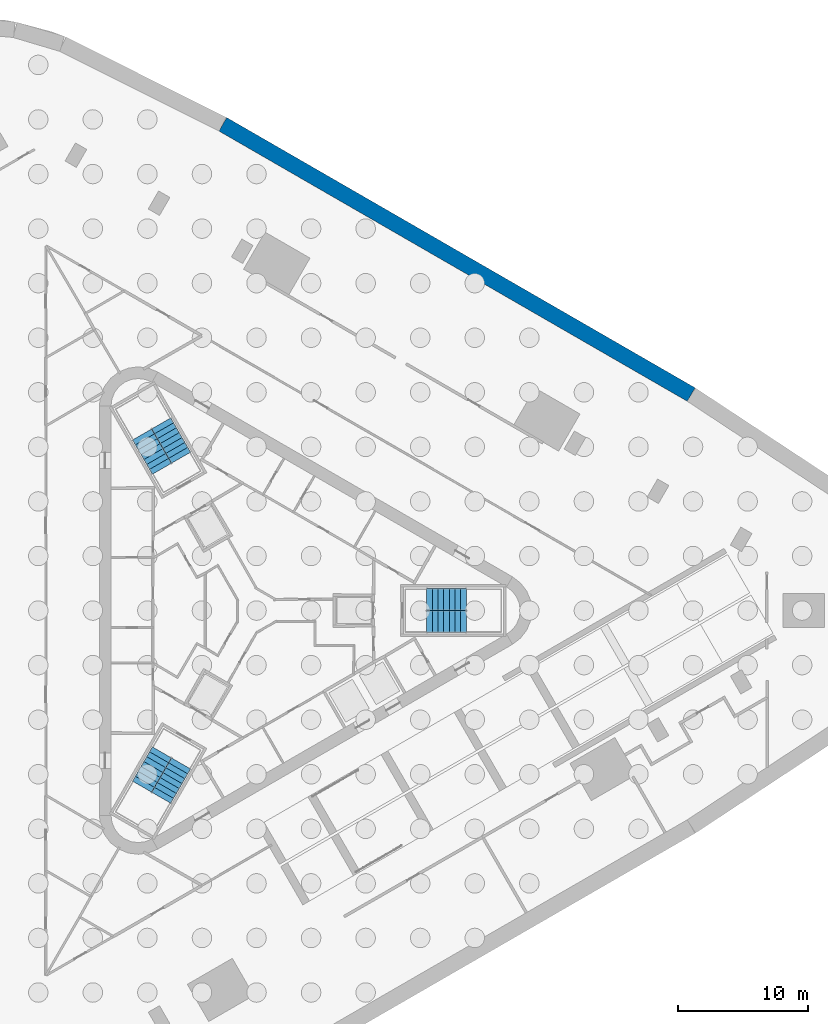
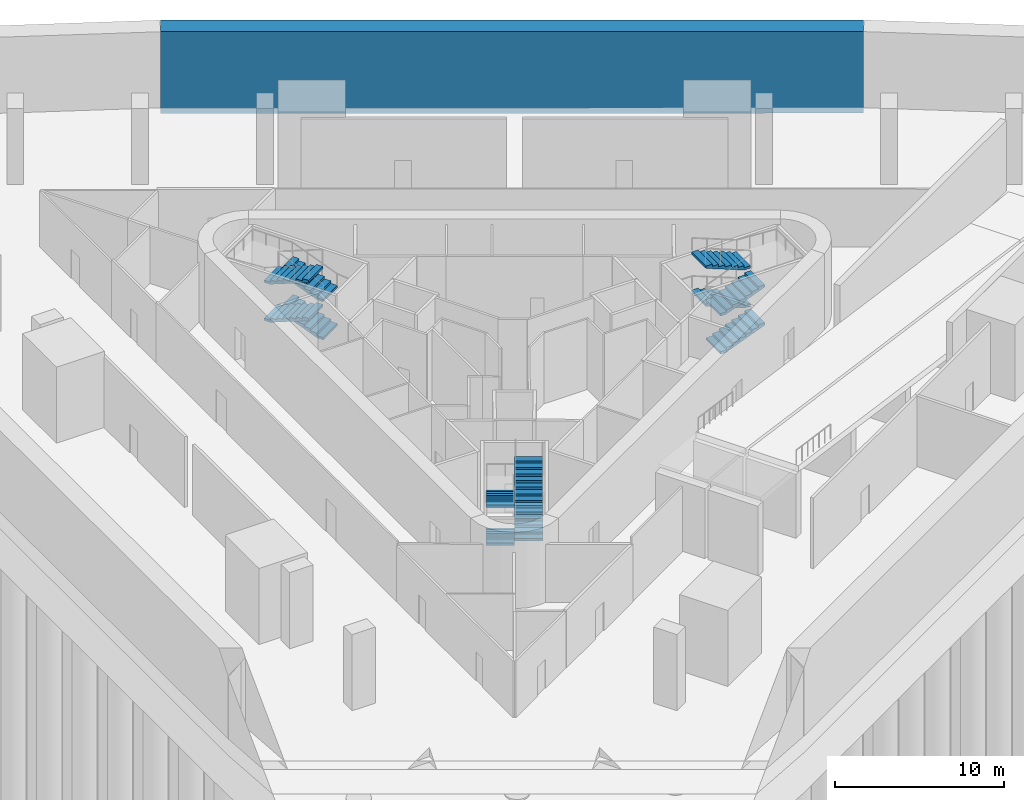
# One storey, part 10 of 13: 12 stair flights, 1 wall, 3 elements without a shape of their own.
"""IFC4 building model written with IfcOpenShell, lengths in metres."""

from ifc_helpers import new_model, si_unit, direction, frame, frame_2d, origin, place, context, subcontext, project, spatial, polyline, rectangle, outline, extrude, material, layer, layer_set, type_object, element, aggregate, save


model = new_model("IFC4")

# Units and contexts
model_context = context("Model", 3, precision=1e-05, world=origin(), true_north=direction((0.0, 1.0)))
body_context = subcontext(model_context, "Body", "Model", "MODEL_VIEW")
ifc_project = project(units=[si_unit("LENGTHUNIT", "METRE"), si_unit("AREAUNIT", "SQUARE_METRE"), si_unit("VOLUMEUNIT", "CUBIC_METRE"), si_unit("PLANEANGLEUNIT", "RADIAN"), si_unit("MASSUNIT", "GRAM", prefix="KILO")], contexts=[model_context])

# Site, building, storey
site_placement = place(None, origin())
site = spatial("IfcSite", under=ifc_project, at=site_placement, CompositionType="ELEMENT")
building_placement = place(site_placement, origin())
building = spatial("IfcBuilding", under=site, at=building_placement, Name="Tanit Gate Tower", CompositionType="ELEMENT")
storey_placement = place(building_placement, frame((0.0, 0.0, -11.0)))
storey = spatial("IfcBuildingStorey", under=building, at=storey_placement, Name="B2", CompositionType="ELEMENT", Elevation=-11.0)

# Wall
ifc_material_1 = material(Name="Concrete C35/45", Category="concrete")
ifc_layer = layer(ifc_material_1, 1.199951171875)
ifc_layer_set = layer_set([ifc_layer], Name="DIAPHRAGM WALL 1200 C35/45")
wall_type = type_object("IfcWallType", Name="DIAPHRAGM WALL 1200 C35/45", PredefinedType="SHEAR", material=ifc_layer_set)
wall_placement = place(storey_placement, frame((-2.593017578125, 37.42919921875, -0.39990234375), z_axis=(0.0, 0.0, 1.0), x_axis=(0.866166543136, -0.499755459752, 0.0)))
element("IfcWall", 1, at=wall_placement, inside=storey, type_object=wall_type, Name="DIAPHRAGM WALL", PredefinedType="SHEAR", context=body_context, shape_type="SweptSolid", body=[
    extrude(rectangle(XDim=41.621826171875, YDim=1.199951171875, at=frame_2d((20.81103515625, 0.0))), origin(), (0.0, 0.0, 1.0), 5.89990234375),
])

# Stair, stair flights
ifc_material_2 = material(Name="Concrete C40/50", Category="concrete")
stair_type = type_object("IfcStairType", Name="INT-STAIR-EXIT", PredefinedType="HALF_TURN_STAIR", material=ifc_material_2)
stair_1_placement = place(storey_placement, origin())
stair_1 = element("IfcStair", 2, at=stair_1_placement, inside=storey, type_object=stair_type, Name="B2 STAIR S1", PredefinedType="HALF_TURN_STAIR")
ifc_material_3 = material(Name="Concrete C40/50", Category="concrete")
stair_flight_type = type_object("IfcStairFlightType", Name="INT-STAIR-FLIGHT", PredefinedType="STRAIGHT", material=ifc_material_3)
stair_flight_1_placement = place(storey_placement, frame((13.094970703125, -0.8525390625, 0.0), z_axis=(0.0, 0.0, 1.0), x_axis=(1.0, 0.0, 0.0)))
stair_flight_1 = element("IfcStairFlight", 3, at=stair_flight_1_placement, type_object=stair_flight_type, Name="S1 flight 1", NumberOfRisers=8, NumberOfTreads=7, PredefinedType="STRAIGHT", RiserHeight=0.171875, TreadLength=0.435857143, context=body_context, shape_type="SweptSolid", body=[
    extrude(outline(polyline([(0.0, 0.0), (0.0, 0.171875), (0.435791015625, 0.171875), (0.435791015625, 0.34375), (0.871826171875, 0.34375), (0.871826171875, 0.515625), (1.3076171875, 0.515625), (1.3076171875, 0.6875), (1.743408203125, 0.6875), (1.743408203125, 0.859375), (2.17919921875, 0.859375), (2.17919921875, 1.03125), (2.615234375, 1.03125), (2.615234375, 1.203125), (3.051025390625, 1.203125), (3.051025390625, 1.375), (3.051025390625, 1.0419921875), (0.40869140625, 0.0), (0.0, 0.0)])), frame((0.0, 0.84765625, 0.0), z_axis=(0.0, -1.0, 0.0), x_axis=(1.0, 0.0, 0.0)), (0.0, 0.0, 1.0), 1.695068359375),
])
stair_flight_2_placement = place(storey_placement, frame((16.14599609375, 0.8525390625, 1.375), z_axis=(0.0, 0.0, 1.0), x_axis=(-1.0, 0.0, 0.0)))
stair_flight_2 = element("IfcStairFlight", 4, at=stair_flight_2_placement, type_object=stair_flight_type, Name="S1 flight 2", NumberOfRisers=8, NumberOfTreads=7, PredefinedType="STRAIGHT", RiserHeight=0.171875, TreadLength=0.435857143, context=body_context, shape_type="SweptSolid", body=[
    extrude(outline(polyline([(0.0, 0.0), (0.0, 0.171875), (0.435791015625, 0.171875), (0.435791015625, 0.34375), (0.871826171875, 0.34375), (0.871826171875, 0.515625), (1.3076171875, 0.515625), (1.3076171875, 0.6875), (1.743408203125, 0.6875), (1.743408203125, 0.859375), (2.17919921875, 0.859375), (2.17919921875, 1.03125), (2.615234375, 1.03125), (2.615234375, 1.203125), (3.051025390625, 1.203125), (3.051025390625, 1.375), (3.051025390625, 1.0419921875), (0.40869140625, 0.0), (0.0, 0.0)])), frame((0.0, 0.84765625, 0.0), z_axis=(0.0, -1.0, 0.0), x_axis=(1.0, 0.0, 0.0)), (0.0, 0.0, 1.0), 1.695068359375),
])
stair_flight_3_placement = place(storey_placement, frame((13.094970703125, -0.8525390625, 2.75), z_axis=(0.0, 0.0, 1.0), x_axis=(1.0, 0.0, 0.0)))
stair_flight_3 = element("IfcStairFlight", 5, at=stair_flight_3_placement, type_object=stair_flight_type, Name="S1 flight 3", NumberOfRisers=8, NumberOfTreads=7, PredefinedType="STRAIGHT", RiserHeight=0.171875, TreadLength=0.435857143, context=body_context, shape_type="SweptSolid", body=[
    extrude(outline(polyline([(0.0, 0.0), (0.0, 0.171875), (0.435791015625, 0.171875), (0.435791015625, 0.34375), (0.871826171875, 0.34375), (0.871826171875, 0.515625), (1.3076171875, 0.515625), (1.3076171875, 0.6875), (1.743408203125, 0.6875), (1.743408203125, 0.859375), (2.17919921875, 0.859375), (2.17919921875, 1.03125), (2.615234375, 1.03125), (2.615234375, 1.203125), (3.051025390625, 1.203125), (3.051025390625, 1.375), (3.051025390625, 1.0419921875), (0.40869140625, 0.0), (0.0, 0.0)])), frame((0.0, 0.84765625, 0.0), z_axis=(0.0, -1.0, 0.0), x_axis=(1.0, 0.0, 0.0)), (0.0, 0.0, 1.0), 1.695068359375),
])
stair_flight_4_placement = place(storey_placement, frame((16.14599609375, 0.8525390625, 4.125), z_axis=(0.0, 0.0, 1.0), x_axis=(-1.0, 0.0, 0.0)))
stair_flight_4 = element("IfcStairFlight", 6, at=stair_flight_4_placement, type_object=stair_flight_type, Name="S1 flight 4", NumberOfRisers=8, NumberOfTreads=7, PredefinedType="STRAIGHT", RiserHeight=0.171875, TreadLength=0.435857143, context=body_context, shape_type="SweptSolid", body=[
    extrude(outline(polyline([(0.0, 0.0), (0.0, 0.171875), (0.435791015625, 0.171875), (0.435791015625, 0.34375), (0.871826171875, 0.34375), (0.871826171875, 0.515625), (1.3076171875, 0.515625), (1.3076171875, 0.6875), (1.743408203125, 0.6875), (1.743408203125, 0.859375), (2.17919921875, 0.859375), (2.17919921875, 1.03125), (2.615234375, 1.03125), (2.615234375, 1.203125), (3.051025390625, 1.203125), (3.051025390625, 1.375), (3.051025390625, 1.0419921875), (0.40869140625, 0.0), (0.0, 0.0)])), frame((0.0, 0.84765625, 0.0), z_axis=(0.0, -1.0, 0.0), x_axis=(1.0, 0.0, 0.0)), (0.0, 0.0, 1.0), 1.695068359375),
])
aggregate(stair_1, [stair_flight_1, stair_flight_2, stair_flight_3, stair_flight_4])

stair_2_placement = place(storey_placement, origin())
stair_2 = element("IfcStair", 7, at=stair_2_placement, inside=storey, type_object=stair_type, Name="B2 STAIR S2", PredefinedType="HALF_TURN_STAIR")
stair_flight_5_placement = place(storey_placement, frame((-5.808349609375, 11.766357421875, 0.0), z_axis=(0.0, 0.0, 1.0), x_axis=(-0.5, 0.866025403784, 0.0)))
stair_flight_5 = element("IfcStairFlight", 8, at=stair_flight_5_placement, type_object=stair_flight_type, Name="S2 flight 1", NumberOfRisers=8, NumberOfTreads=7, PredefinedType="STRAIGHT", RiserHeight=0.171875, TreadLength=0.4356, context=body_context, shape_type="SweptSolid", body=[
    extrude(outline(polyline([(0.0, 0.0), (0.0, 0.171875), (0.435546875, 0.171875), (0.435546875, 0.34375), (0.87109375, 0.34375), (0.87109375, 0.515625), (1.306884765625, 0.515625), (1.306884765625, 0.6875), (1.742431640625, 0.6875), (1.742431640625, 0.859375), (2.177978515625, 0.859375), (2.177978515625, 1.03125), (2.613525390625, 1.03125), (2.613525390625, 1.203125), (3.04931640625, 1.203125), (3.04931640625, 1.375), (3.04931640625, 1.0419921875), (0.408447265625, 0.0), (0.0, 0.0)])), frame((0.0, 0.84716796875, 0.0), z_axis=(0.0, -1.0, 0.0), x_axis=(1.0, 0.0, 0.0)), (0.0, 0.0, 1.0), 1.694091796875),
])
stair_flight_6_placement = place(storey_placement, frame((-8.810302734375, 13.553955078125, 1.375), z_axis=(0.0, 0.0, 1.0), x_axis=(0.5, -0.866025403784, 0.0)))
stair_flight_6 = element("IfcStairFlight", 9, at=stair_flight_6_placement, type_object=stair_flight_type, Name="S2 flight 2", NumberOfRisers=8, NumberOfTreads=7, PredefinedType="STRAIGHT", RiserHeight=0.171875, TreadLength=0.4356, context=body_context, shape_type="SweptSolid", body=[
    extrude(outline(polyline([(0.0, 0.0), (0.0, 0.171875), (0.435546875, 0.171875), (0.435546875, 0.34375), (0.87109375, 0.34375), (0.87109375, 0.515625), (1.306884765625, 0.515625), (1.306884765625, 0.6875), (1.742431640625, 0.6875), (1.742431640625, 0.859375), (2.177978515625, 0.859375), (2.177978515625, 1.03125), (2.613525390625, 1.03125), (2.613525390625, 1.203125), (3.04931640625, 1.203125), (3.04931640625, 1.375), (3.04931640625, 1.0419921875), (0.408447265625, 0.0), (0.0, 0.0)])), frame((0.0, 0.84716796875, 0.0), z_axis=(0.0, -1.0, 0.0), x_axis=(1.0, 0.0, 0.0)), (0.0, 0.0, 1.0), 1.694091796875),
])
stair_flight_7_placement = place(storey_placement, frame((-5.808349609375, 11.766357421875, 2.75), z_axis=(0.0, 0.0, 1.0), x_axis=(-0.5, 0.866025403784, 0.0)))
stair_flight_7 = element("IfcStairFlight", 10, at=stair_flight_7_placement, type_object=stair_flight_type, Name="S2 flight 3", NumberOfRisers=8, NumberOfTreads=7, PredefinedType="STRAIGHT", RiserHeight=0.171875, TreadLength=0.4356, context=body_context, shape_type="SweptSolid", body=[
    extrude(outline(polyline([(0.0, 0.0), (0.0, 0.171875), (0.435546875, 0.171875), (0.435546875, 0.34375), (0.87109375, 0.34375), (0.87109375, 0.515625), (1.306884765625, 0.515625), (1.306884765625, 0.6875), (1.742431640625, 0.6875), (1.742431640625, 0.859375), (2.177978515625, 0.859375), (2.177978515625, 1.03125), (2.613525390625, 1.03125), (2.613525390625, 1.203125), (3.04931640625, 1.203125), (3.04931640625, 1.375), (3.04931640625, 1.0419921875), (0.408447265625, 0.0), (0.0, 0.0)])), frame((0.0, 0.84716796875, 0.0), z_axis=(0.0, -1.0, 0.0), x_axis=(1.0, 0.0, 0.0)), (0.0, 0.0, 1.0), 1.694091796875),
])
stair_flight_8_placement = place(storey_placement, frame((-8.810302734375, 13.553955078125, 4.125), z_axis=(0.0, 0.0, 1.0), x_axis=(0.5, -0.866025403784, 0.0)))
stair_flight_8 = element("IfcStairFlight", 11, at=stair_flight_8_placement, type_object=stair_flight_type, Name="S2 flight 4", NumberOfRisers=8, NumberOfTreads=7, PredefinedType="STRAIGHT", RiserHeight=0.171875, TreadLength=0.4356, context=body_context, shape_type="SweptSolid", body=[
    extrude(outline(polyline([(0.0, 0.0), (0.0, 0.171875), (0.435546875, 0.171875), (0.435546875, 0.34375), (0.87109375, 0.34375), (0.87109375, 0.515625), (1.306884765625, 0.515625), (1.306884765625, 0.6875), (1.742431640625, 0.6875), (1.742431640625, 0.859375), (2.177978515625, 0.859375), (2.177978515625, 1.03125), (2.613525390625, 1.03125), (2.613525390625, 1.203125), (3.04931640625, 1.203125), (3.04931640625, 1.375), (3.04931640625, 1.0419921875), (0.408447265625, 0.0), (0.0, 0.0)])), frame((0.0, 0.84716796875, 0.0), z_axis=(0.0, -1.0, 0.0), x_axis=(1.0, 0.0, 0.0)), (0.0, 0.0, 1.0), 1.694091796875),
])
aggregate(stair_2, [stair_flight_5, stair_flight_6, stair_flight_7, stair_flight_8])

stair_3_placement = place(storey_placement, origin())
stair_3 = element("IfcStair", 12, at=stair_3_placement, inside=storey, type_object=stair_type, Name="B2 STAIR S3", PredefinedType="HALF_TURN_STAIR")
stair_flight_9_placement = place(storey_placement, frame((-7.285888671875, -10.914306640625, 0.0), z_axis=(0.0, 0.0, 1.0), x_axis=(-0.5, -0.866025403784, 0.0)))
stair_flight_9 = element("IfcStairFlight", 13, at=stair_flight_9_placement, type_object=stair_flight_type, Name="S3 flight 1", NumberOfRisers=8, NumberOfTreads=7, PredefinedType="STRAIGHT", RiserHeight=0.171875, TreadLength=0.435857143, context=body_context, shape_type="SweptSolid", body=[
    extrude(outline(polyline([(0.0, 0.0), (0.0, 0.171875), (0.435791015625, 0.171875), (0.435791015625, 0.34375), (0.871826171875, 0.34375), (0.871826171875, 0.515625), (1.3076171875, 0.515625), (1.3076171875, 0.6875), (1.743408203125, 0.6875), (1.743408203125, 0.859375), (2.17919921875, 0.859375), (2.17919921875, 1.03125), (2.615234375, 1.03125), (2.615234375, 1.203125), (3.051025390625, 1.203125), (3.051025390625, 1.375), (3.051025390625, 1.0419921875), (0.40869140625, 0.0), (0.0, 0.0)])), frame((0.0, 0.84765625, 0.0), z_axis=(0.0, -1.0, 0.0), x_axis=(1.0, 0.0, 0.0)), (0.0, 0.0, 1.0), 1.695068359375),
])
stair_flight_10_placement = place(storey_placement, frame((-7.334716796875, -14.4091796875, 1.375), z_axis=(0.0, 0.0, 1.0), x_axis=(0.5, 0.866025403784, 0.0)))
stair_flight_10 = element("IfcStairFlight", 14, at=stair_flight_10_placement, type_object=stair_flight_type, Name="S3 flight 2", NumberOfRisers=8, NumberOfTreads=7, PredefinedType="STRAIGHT", RiserHeight=0.171875, TreadLength=0.435857143, context=body_context, shape_type="SweptSolid", body=[
    extrude(outline(polyline([(0.0, 0.0), (0.0, 0.171875), (0.435791015625, 0.171875), (0.435791015625, 0.34375), (0.871826171875, 0.34375), (0.871826171875, 0.515625), (1.3076171875, 0.515625), (1.3076171875, 0.6875), (1.743408203125, 0.6875), (1.743408203125, 0.859375), (2.17919921875, 0.859375), (2.17919921875, 1.03125), (2.615234375, 1.03125), (2.615234375, 1.203125), (3.051025390625, 1.203125), (3.051025390625, 1.375), (3.051025390625, 1.0419921875), (0.40869140625, 0.0), (0.0, 0.0)])), frame((0.0, 0.84765625, 0.0), z_axis=(0.0, -1.0, 0.0), x_axis=(1.0, 0.0, 0.0)), (0.0, 0.0, 1.0), 1.695068359375),
])
stair_flight_11_placement = place(storey_placement, frame((-7.285888671875, -10.914306640625, 2.75), z_axis=(0.0, 0.0, 1.0), x_axis=(-0.5, -0.866025403784, 0.0)))
stair_flight_11 = element("IfcStairFlight", 15, at=stair_flight_11_placement, type_object=stair_flight_type, Name="S3 flight 3", NumberOfRisers=8, NumberOfTreads=7, PredefinedType="STRAIGHT", RiserHeight=0.171875, TreadLength=0.435857143, context=body_context, shape_type="SweptSolid", body=[
    extrude(outline(polyline([(0.0, 0.0), (0.0, 0.171875), (0.435791015625, 0.171875), (0.435791015625, 0.34375), (0.871826171875, 0.34375), (0.871826171875, 0.515625), (1.3076171875, 0.515625), (1.3076171875, 0.6875), (1.743408203125, 0.6875), (1.743408203125, 0.859375), (2.17919921875, 0.859375), (2.17919921875, 1.03125), (2.615234375, 1.03125), (2.615234375, 1.203125), (3.051025390625, 1.203125), (3.051025390625, 1.375), (3.051025390625, 1.0419921875), (0.40869140625, 0.0), (0.0, 0.0)])), frame((0.0, 0.84765625, 0.0), z_axis=(0.0, -1.0, 0.0), x_axis=(1.0, 0.0, 0.0)), (0.0, 0.0, 1.0), 1.695068359375),
])
stair_flight_12_placement = place(storey_placement, frame((-7.334716796875, -14.4091796875, 4.125), z_axis=(0.0, 0.0, 1.0), x_axis=(0.5, 0.866025403784, 0.0)))
stair_flight_12 = element("IfcStairFlight", 16, at=stair_flight_12_placement, type_object=stair_flight_type, Name="S3 flight 4", NumberOfRisers=8, NumberOfTreads=7, PredefinedType="STRAIGHT", RiserHeight=0.171875, TreadLength=0.435857143, context=body_context, shape_type="SweptSolid", body=[
    extrude(outline(polyline([(0.0, 0.0), (0.0, 0.171875), (0.435791015625, 0.171875), (0.435791015625, 0.34375), (0.871826171875, 0.34375), (0.871826171875, 0.515625), (1.3076171875, 0.515625), (1.3076171875, 0.6875), (1.743408203125, 0.6875), (1.743408203125, 0.859375), (2.17919921875, 0.859375), (2.17919921875, 1.03125), (2.615234375, 1.03125), (2.615234375, 1.203125), (3.051025390625, 1.203125), (3.051025390625, 1.375), (3.051025390625, 1.0419921875), (0.40869140625, 0.0), (0.0, 0.0)])), frame((0.0, 0.84765625, 0.0), z_axis=(0.0, -1.0, 0.0), x_axis=(1.0, 0.0, 0.0)), (0.0, 0.0, 1.0), 1.695068359375),
])
aggregate(stair_3, [stair_flight_9, stair_flight_10, stair_flight_11, stair_flight_12])

save(model, "model.ifc")
